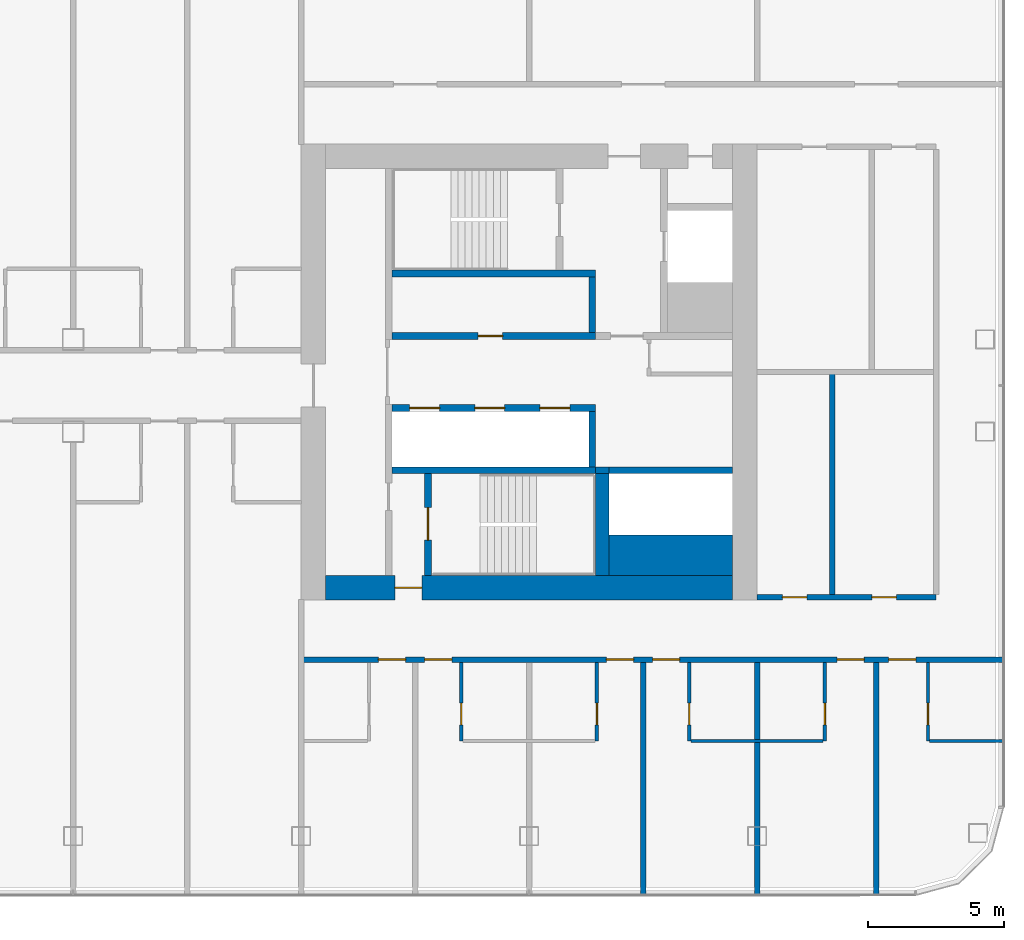
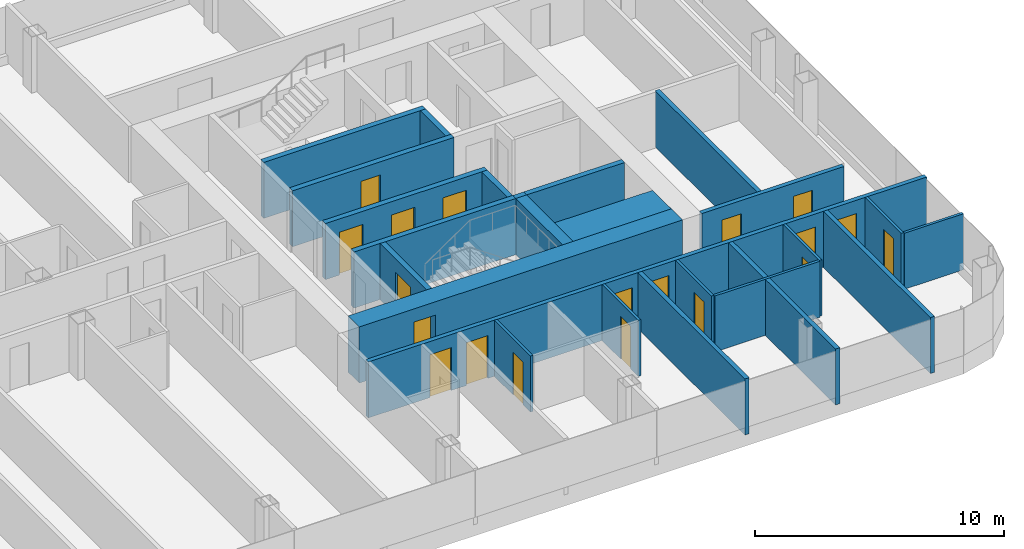
# One storey, part 17 of 27: 25 walls, 19 doors, 19 openings.
"""IFC4 building model written with IfcOpenShell, lengths in metres."""

from ifc_helpers import new_model, si_unit, direction, frame, frame_2d, origin, place, context, subcontext, project, spatial, rectangle, extrude, material, layer, layer_set, type_object, element, fill, save


model = new_model("IFC4")

# Units and contexts
model_context = context("Model", 3, precision=1e-05, world=origin(), true_north=direction((0.0, 1.0)))
body_context = subcontext(model_context, "Body", "Model", "MODEL_VIEW")
ifc_project = project(units=[si_unit("LENGTHUNIT", "METRE"), si_unit("AREAUNIT", "SQUARE_METRE"), si_unit("VOLUMEUNIT", "CUBIC_METRE"), si_unit("PLANEANGLEUNIT", "RADIAN"), si_unit("MASSUNIT", "GRAM", prefix="KILO")], contexts=[model_context])

# Site, building, storey
site_placement = place(None, origin())
site = spatial("IfcSite", under=ifc_project, at=site_placement, CompositionType="ELEMENT")
building_placement = place(site_placement, origin())
building = spatial("IfcBuilding", under=site, at=building_placement, Name="Hakoniwa Tower and Hamabe Station Hall", CompositionType="ELEMENT")
storey_placement = place(building_placement, frame((0.0, 0.0, 166.199951171875)))
storey = spatial("IfcBuildingStorey", under=building, at=storey_placement, Name="L47", CompositionType="ELEMENT", Elevation=166.199951171875)

# Walls
ifc_material_1 = material(Name="Gypsum board partition", Category="gypsum")
ifc_layer_1 = layer(ifc_material_1, 0.125)
ifc_layer_set_1 = layer_set([ifc_layer_1], Name="Bathroom Partition 125")
wall_type_1 = type_object("IfcWallType", Name="Bathroom Partition 125", PredefinedType="PARTITIONING", material=ifc_layer_set_1)
wall_1_placement = place(storey_placement, frame((31.16259765625, -13.60009765625, 0.0), z_axis=(0.0, 0.0, 1.0), x_axis=(1.0, 0.0, 0.0)))
element("IfcWall", 1, at=wall_1_placement, inside=storey, type_object=wall_type_1, Name="GW-L47-007", PredefinedType="PARTITIONING", context=body_context, shape_type="SweptSolid", body=[
    extrude(rectangle(XDim=4.875, YDim=0.125, at=frame_2d((2.4375, 0.0))), origin(), (0.0, 0.0, 1.0), 2.75),
])
wall_2_placement = place(storey_placement, frame((39.96240234375, -13.60009765625, 0.0), z_axis=(0.0, 0.0, 1.0), x_axis=(1.0, 0.0, 0.0)))
element("IfcWall", 2, at=wall_2_placement, inside=storey, type_object=wall_type_1, Name="GW-L47-008", PredefinedType="PARTITIONING", context=body_context, shape_type="SweptSolid", body=[
    extrude(rectangle(XDim=2.737548828125, YDim=0.125, at=frame_2d((1.36865234375, 0.0))), origin(), (0.0, 0.0, 1.0), 2.75),
])

# Wall, opening, door
wall_3_placement = place(storey_placement, frame((22.699951171875, -13.60009765625, 0.0), z_axis=(0.0, 0.0, 1.0), x_axis=(0.0, 1.0, 0.0)))
wall_3 = element("IfcWall", 3, at=wall_3_placement, inside=storey, type_object=wall_type_1, Name="GW-L47-092", PredefinedType="PARTITIONING", context=body_context, shape_type="SweptSolid", body=[
    extrude(rectangle(XDim=2.900146484375, YDim=0.125, at=frame_2d((1.4501953125, 0.0))), origin(), (0.0, 0.0, 1.0), 2.75),
])
opening_1_placement = place(wall_3_placement, frame((0.60009765625, 0.0, 0.0)))
opening_1 = element("IfcOpeningElement", 4, at=opening_1_placement, cuts=wall_3, Name="Opening GD-G3B2-71", PredefinedType="OPENING", context=body_context, shape_type="SweptSolid", body=[
    extrude(rectangle(XDim=0.800048828125, YDim=2.10009765625, at=frame_2d((0.39990234375, 1.050048828125))), frame((0.0, 0.072509765625, 0.0), z_axis=(0.0, -1.0, 0.0), x_axis=(1.0, 0.0, 0.0)), (0.0, 0.0, 1.0), 0.14501953125),
])
ifc_material_2 = material(Name="Timber door leaf", Category="wood")
door_type_1 = type_object("IfcDoorType", Name="Bathroom Door 800", OperationType="SINGLE_SWING_LEFT", PredefinedType="DOOR", material=ifc_material_2)
door_1_placement = place(opening_1_placement, origin())
door_1 = element("IfcDoor", 5, at=door_1_placement, inside=storey, type_object=door_type_1, Name="Door GD-G3B2-71", OperationType="SINGLE_SWING_LEFT", OverallHeight=2.10009765625, OverallWidth=0.800048828125, PredefinedType="DOOR", context=body_context, shape_type="SweptSolid", body=[
    extrude(rectangle(XDim=0.800048828125, YDim=2.10009765625, at=frame_2d((0.39990234375, 1.050048828125))), frame((0.0, 0.02490234375, 0.0), z_axis=(0.0, -1.0, 0.0), x_axis=(1.0, 0.0, 0.0)), (0.0, 0.0, 1.0), 0.050048828125),
])
fill(opening_1, door_1)

wall_4_placement = place(storey_placement, frame((27.699951171875, -13.60009765625, 0.0), z_axis=(0.0, 0.0, 1.0), x_axis=(0.0, 1.0, 0.0)))
wall_4 = element("IfcWall", 6, at=wall_4_placement, inside=storey, type_object=wall_type_1, Name="GW-L47-095", PredefinedType="PARTITIONING", context=body_context, shape_type="SweptSolid", body=[
    extrude(rectangle(XDim=2.900146484375, YDim=0.125, at=frame_2d((1.4501953125, 0.0))), origin(), (0.0, 0.0, 1.0), 2.75),
])
opening_2_placement = place(wall_4_placement, frame((0.60009765625, 0.0, 0.0)))
opening_2 = element("IfcOpeningElement", 7, at=opening_2_placement, cuts=wall_4, Name="Opening GD-G3B2-72", PredefinedType="OPENING", context=body_context, shape_type="SweptSolid", body=[
    extrude(rectangle(XDim=0.800048828125, YDim=2.10009765625, at=frame_2d((0.39990234375, 1.050048828125))), frame((0.0, 0.072509765625, 0.0), z_axis=(0.0, -1.0, 0.0), x_axis=(1.0, 0.0, 0.0)), (0.0, 0.0, 1.0), 0.14501953125),
])
door_2_placement = place(opening_2_placement, origin())
door_2 = element("IfcDoor", 8, at=door_2_placement, inside=storey, type_object=door_type_1, Name="Door GD-G3B2-72", OperationType="SINGLE_SWING_RIGHT", OverallHeight=2.10009765625, OverallWidth=0.800048828125, PredefinedType="DOOR", context=body_context, shape_type="SweptSolid", body=[
    extrude(rectangle(XDim=0.800048828125, YDim=2.10009765625, at=frame_2d((0.39990234375, 1.050048828125))), frame((0.0, 0.02490234375, 0.0), z_axis=(0.0, -1.0, 0.0), x_axis=(1.0, 0.0, 0.0)), (0.0, 0.0, 1.0), 0.050048828125),
])
fill(opening_2, door_2)

wall_5_placement = place(storey_placement, frame((31.10009765625, -13.60009765625, 0.0), z_axis=(0.0, 0.0, 1.0), x_axis=(0.0, 1.0, 0.0)))
wall_5 = element("IfcWall", 9, at=wall_5_placement, inside=storey, type_object=wall_type_1, Name="GW-L47-097", PredefinedType="PARTITIONING", context=body_context, shape_type="SweptSolid", body=[
    extrude(rectangle(XDim=2.900146484375, YDim=0.125, at=frame_2d((1.4501953125, 0.0))), origin(), (0.0, 0.0, 1.0), 2.75),
])
opening_3_placement = place(wall_5_placement, frame((0.60009765625, 0.0, 0.0)))
opening_3 = element("IfcOpeningElement", 10, at=opening_3_placement, cuts=wall_5, Name="Opening GD-G3B2-73", PredefinedType="OPENING", context=body_context, shape_type="SweptSolid", body=[
    extrude(rectangle(XDim=0.800048828125, YDim=2.10009765625, at=frame_2d((0.39990234375, 1.050048828125))), frame((0.0, 0.072509765625, 0.0), z_axis=(0.0, -1.0, 0.0), x_axis=(1.0, 0.0, 0.0)), (0.0, 0.0, 1.0), 0.14501953125),
])
door_3_placement = place(opening_3_placement, origin())
door_3 = element("IfcDoor", 11, at=door_3_placement, inside=storey, type_object=door_type_1, Name="Door GD-G3B2-73", OperationType="SINGLE_SWING_LEFT", OverallHeight=2.10009765625, OverallWidth=0.800048828125, PredefinedType="DOOR", context=body_context, shape_type="SweptSolid", body=[
    extrude(rectangle(XDim=0.800048828125, YDim=2.10009765625, at=frame_2d((0.39990234375, 1.050048828125))), frame((0.0, 0.02490234375, 0.0), z_axis=(0.0, -1.0, 0.0), x_axis=(1.0, 0.0, 0.0)), (0.0, 0.0, 1.0), 0.050048828125),
])
fill(opening_3, door_3)

wall_6_placement = place(storey_placement, frame((36.10009765625, -13.60009765625, 0.0), z_axis=(0.0, 0.0, 1.0), x_axis=(0.0, 1.0, 0.0)))
wall_6 = element("IfcWall", 12, at=wall_6_placement, inside=storey, type_object=wall_type_1, Name="GW-L47-100", PredefinedType="PARTITIONING", context=body_context, shape_type="SweptSolid", body=[
    extrude(rectangle(XDim=2.900146484375, YDim=0.125, at=frame_2d((1.4501953125, 0.0))), origin(), (0.0, 0.0, 1.0), 2.75),
])
opening_4_placement = place(wall_6_placement, frame((0.60009765625, 0.0, 0.0)))
opening_4 = element("IfcOpeningElement", 13, at=opening_4_placement, cuts=wall_6, Name="Opening GD-G3B2-74", PredefinedType="OPENING", context=body_context, shape_type="SweptSolid", body=[
    extrude(rectangle(XDim=0.800048828125, YDim=2.10009765625, at=frame_2d((0.39990234375, 1.050048828125))), frame((0.0, 0.072509765625, 0.0), z_axis=(0.0, -1.0, 0.0), x_axis=(1.0, 0.0, 0.0)), (0.0, 0.0, 1.0), 0.14501953125),
])
door_4_placement = place(opening_4_placement, origin())
door_4 = element("IfcDoor", 14, at=door_4_placement, inside=storey, type_object=door_type_1, Name="Door GD-G3B2-74", OperationType="SINGLE_SWING_RIGHT", OverallHeight=2.10009765625, OverallWidth=0.800048828125, PredefinedType="DOOR", context=body_context, shape_type="SweptSolid", body=[
    extrude(rectangle(XDim=0.800048828125, YDim=2.10009765625, at=frame_2d((0.39990234375, 1.050048828125))), frame((0.0, 0.02490234375, 0.0), z_axis=(0.0, -1.0, 0.0), x_axis=(1.0, 0.0, 0.0)), (0.0, 0.0, 1.0), 0.050048828125),
])
fill(opening_4, door_4)

wall_7_placement = place(storey_placement, frame((39.89990234375, -13.60009765625, 0.0), z_axis=(0.0, 0.0, 1.0), x_axis=(0.0, 1.0, 0.0)))
wall_7 = element("IfcWall", 15, at=wall_7_placement, inside=storey, type_object=wall_type_1, Name="GW-L47-104", PredefinedType="PARTITIONING", context=body_context, shape_type="SweptSolid", body=[
    extrude(rectangle(XDim=2.900146484375, YDim=0.125, at=frame_2d((1.4501953125, 0.0))), origin(), (0.0, 0.0, 1.0), 2.75),
])
opening_5_placement = place(wall_7_placement, frame((0.60009765625, 0.0, 0.0)))
opening_5 = element("IfcOpeningElement", 16, at=opening_5_placement, cuts=wall_7, Name="Opening GD-G3B2-75", PredefinedType="OPENING", context=body_context, shape_type="SweptSolid", body=[
    extrude(rectangle(XDim=0.800048828125, YDim=2.10009765625, at=frame_2d((0.39990234375, 1.050048828125))), frame((0.0, 0.072509765625, 0.0), z_axis=(0.0, -1.0, 0.0), x_axis=(1.0, 0.0, 0.0)), (0.0, 0.0, 1.0), 0.14501953125),
])
door_5_placement = place(opening_5_placement, origin())
door_5 = element("IfcDoor", 17, at=door_5_placement, inside=storey, type_object=door_type_1, Name="Door GD-G3B2-75", OperationType="SINGLE_SWING_LEFT", OverallHeight=2.10009765625, OverallWidth=0.800048828125, PredefinedType="DOOR", context=body_context, shape_type="SweptSolid", body=[
    extrude(rectangle(XDim=0.800048828125, YDim=2.10009765625, at=frame_2d((0.39990234375, 1.050048828125))), frame((0.0, 0.02490234375, 0.0), z_axis=(0.0, -1.0, 0.0), x_axis=(1.0, 0.0, 0.0)), (0.0, 0.0, 1.0), 0.050048828125),
])
fill(opening_5, door_5)

ifc_material_3 = material(Name="Concrete C66", Category="concrete")
ifc_layer_2 = layer(ifc_material_3, 0.89990234375)
ifc_layer_set_2 = layer_set([ifc_layer_2], Name="CORE WALL 900 C66")
wall_type_2 = type_object("IfcWallType", Name="CORE WALL 900 C66", PredefinedType="SHEAR", material=ifc_layer_set_2)
wall_8_placement = place(storey_placement, frame((17.699951171875, -7.949951171875, 0.0), z_axis=(0.0, 0.0, 1.0), x_axis=(1.0, 0.0, 0.0)))
wall_8 = element("IfcWall", 18, at=wall_8_placement, inside=storey, type_object=wall_type_2, Name="Core wall SOUTH east", PredefinedType="SHEAR", context=body_context, shape_type="SweptSolid", body=[
    extrude(rectangle(XDim=15.0, YDim=0.89990234375, at=frame_2d((7.5, 0.0))), origin(), (0.0, 0.0, 1.0), 2.75),
])
opening_6_placement = place(wall_8_placement, frame((2.550048828125, 0.0, 0.0)))
opening_6 = element("IfcOpeningElement", 19, at=opening_6_placement, cuts=wall_8, Name="Opening CD-E-FS3-10", PredefinedType="OPENING", context=body_context, shape_type="SweptSolid", body=[
    extrude(rectangle(XDim=1.0, YDim=2.10009765625, at=frame_2d((0.5, 1.050048828125))), frame((0.0, 0.4599609375, 0.0), z_axis=(0.0, -1.0, 0.0), x_axis=(1.0, 0.0, 0.0)), (0.0, 0.0, 1.0), 0.919921875),
])
ifc_material_4 = material(Name="Steel fire door", Category="steel")
door_type_2 = type_object("IfcDoorType", Name="CORE DOOR 1000 FD60", OperationType="NOTDEFINED", PredefinedType="DOOR", material=ifc_material_4)
door_6_placement = place(opening_6_placement, origin())
door_6 = element("IfcDoor", 20, at=door_6_placement, inside=storey, type_object=door_type_2, Name="Stair vestibule door", OperationType="SINGLE_SWING_LEFT", OverallHeight=2.10009765625, OverallWidth=1.0, PredefinedType="DOOR", context=body_context, shape_type="SweptSolid", body=[
    extrude(rectangle(XDim=1.0, YDim=2.10009765625, at=frame_2d((0.5, 1.050048828125))), frame((0.0, 0.02490234375, 0.0), z_axis=(0.0, -1.0, 0.0), x_axis=(1.0, 0.0, 0.0)), (0.0, 0.0, 1.0), 0.050048828125),
])
fill(opening_6, door_6)

# Wall
ifc_material_5 = material(Name="Concrete C66", Category="concrete")
ifc_layer_3 = layer(ifc_material_5, 1.5)
ifc_layer_set_3 = layer_set([ifc_layer_3], Name="CORE WEB WALL 1500 C66")
wall_type_3 = type_object("IfcWallType", Name="CORE WEB WALL 1500 C66", PredefinedType="SHEAR", material=ifc_layer_set_3)
wall_9_placement = place(storey_placement, frame((28.14990234375, -6.75, 0.0), z_axis=(0.0, 0.0, 1.0), x_axis=(1.0, 0.0, 0.0)))
element("IfcWall", 21, at=wall_9_placement, inside=storey, type_object=wall_type_3, Name="Core wall SER east", PredefinedType="SHEAR", context=body_context, shape_type="SweptSolid", body=[
    extrude(rectangle(XDim=4.550048828125, YDim=1.5, at=frame_2d((2.27490234375, 0.0))), origin(), (0.0, 0.0, 1.0), 2.75),
])

# Wall, opening, door
ifc_material_6 = material(Name="Concrete C66", Category="concrete")
ifc_layer_4 = layer(ifc_material_6, 0.25)
ifc_layer_set_4 = layer_set([ifc_layer_4], Name="CORE WEB WALL 250 C66")
wall_type_4 = type_object("IfcWallType", Name="CORE WEB WALL 250 C66", PredefinedType="SHEAR", material=ifc_layer_set_4)
wall_10_placement = place(storey_placement, frame((20.14990234375, 1.324951171875, 0.0), z_axis=(0.0, 0.0, 1.0), x_axis=(1.0, 0.0, 0.0)))
wall_10 = element("IfcWall", 22, at=wall_10_placement, inside=storey, type_object=wall_type_4, Name="Core wall NF east", PredefinedType="SHEAR", context=body_context, shape_type="SweptSolid", body=[
    extrude(rectangle(XDim=7.5, YDim=0.25, at=frame_2d((3.75, 0.0))), origin(), (0.0, 0.0, 1.0), 2.75),
])
opening_7_placement = place(wall_10_placement, frame((3.175048828125, 0.0, 0.0)))
opening_7 = element("IfcOpeningElement", 23, at=opening_7_placement, cuts=wall_10, Name="Opening CD-E-FRLR0-9", PredefinedType="OPENING", context=body_context, shape_type="SweptSolid", body=[
    extrude(rectangle(XDim=0.89990234375, YDim=2.10009765625, at=frame_2d((0.449951171875, 1.050048828125))), frame((0.0, 0.135009765625, 0.0), z_axis=(0.0, -1.0, 0.0), x_axis=(1.0, 0.0, 0.0)), (0.0, 0.0, 1.0), 0.27001953125),
])
ifc_material_7 = material(Name="Steel fire door", Category="steel")
door_type_3 = type_object("IfcDoorType", Name="CORE DOOR 900 FD30", OperationType="NOTDEFINED", PredefinedType="DOOR", material=ifc_material_7)
door_7_placement = place(opening_7_placement, origin())
door_7 = element("IfcDoor", 24, at=door_7_placement, inside=storey, type_object=door_type_3, Name="Store room door", OperationType="SINGLE_SWING_LEFT", OverallHeight=2.10009765625, OverallWidth=0.89990234375, PredefinedType="DOOR", context=body_context, shape_type="SweptSolid", body=[
    extrude(rectangle(XDim=0.89990234375, YDim=2.10009765625, at=frame_2d((0.449951171875, 1.050048828125))), frame((0.0, 0.02490234375, 0.0), z_axis=(0.0, -1.0, 0.0), x_axis=(1.0, 0.0, 0.0)), (0.0, 0.0, 1.0), 0.050048828125),
])
fill(opening_7, door_7)

# Walls
wall_11_placement = place(storey_placement, frame((27.52490234375, 1.449951171875, 0.0), z_axis=(0.0, 0.0, 1.0), x_axis=(0.0, 1.0, 0.0)))
element("IfcWall", 25, at=wall_11_placement, inside=storey, type_object=wall_type_4, Name="Core wall NE east", PredefinedType="SHEAR", context=body_context, shape_type="SweptSolid", body=[
    extrude(rectangle(XDim=2.050048828125, YDim=0.25, at=frame_2d((1.02490234375, 0.0))), origin(), (0.0, 0.0, 1.0), 2.75),
])
wall_12_placement = place(storey_placement, frame((20.14990234375, 3.625, 0.0), z_axis=(0.0, 0.0, 1.0), x_axis=(1.0, 0.0, 0.0)))
element("IfcWall", 26, at=wall_12_placement, inside=storey, type_object=wall_type_4, Name="Core wall NR east", PredefinedType="SHEAR", context=body_context, shape_type="SweptSolid", body=[
    extrude(rectangle(XDim=7.5, YDim=0.25, at=frame_2d((3.75, 0.0))), origin(), (0.0, 0.0, 1.0), 2.75),
])

# Wall, openings, doors
wall_13_placement = place(storey_placement, frame((20.14990234375, -1.324951171875, 0.0), z_axis=(0.0, 0.0, 1.0), x_axis=(1.0, 0.0, 0.0)))
wall_13 = element("IfcWall", 27, at=wall_13_placement, inside=storey, type_object=wall_type_4, Name="Core wall SF east", PredefinedType="SHEAR", context=body_context, shape_type="SweptSolid", body=[
    extrude(rectangle(XDim=7.5, YDim=0.25, at=frame_2d((3.75, 0.0))), origin(), (0.0, 0.0, 1.0), 2.75),
])
opening_8_placement = place(wall_13_placement, frame((0.64990234375, 0.0, 0.0)))
opening_8 = element("IfcOpeningElement", 28, at=opening_8_placement, cuts=wall_13, Name="Opening LD-HR4", PredefinedType="OPENING", context=body_context, shape_type="SweptSolid", body=[
    extrude(rectangle(XDim=1.10009765625, YDim=2.10009765625, at=frame_2d((0.550048828125, 1.050048828125))), frame((0.0, 0.135009765625, 0.0), z_axis=(0.0, -1.0, 0.0), x_axis=(1.0, 0.0, 0.0)), (0.0, 0.0, 1.0), 0.27001953125),
])
opening_9_placement = place(wall_13_placement, frame((3.050048828125, 0.0, 0.0)))
opening_9 = element("IfcOpeningElement", 29, at=opening_9_placement, cuts=wall_13, Name="Opening LD-HR5", PredefinedType="OPENING", context=body_context, shape_type="SweptSolid", body=[
    extrude(rectangle(XDim=1.10009765625, YDim=2.10009765625, at=frame_2d((0.550048828125, 1.050048828125))), frame((0.0, 0.135009765625, 0.0), z_axis=(0.0, -1.0, 0.0), x_axis=(1.0, 0.0, 0.0)), (0.0, 0.0, 1.0), 0.27001953125),
])
opening_10_placement = place(wall_13_placement, frame((5.449951171875, 0.0, 0.0)))
opening_10 = element("IfcOpeningElement", 30, at=opening_10_placement, cuts=wall_13, Name="Opening LD-HR6", PredefinedType="OPENING", context=body_context, shape_type="SweptSolid", body=[
    extrude(rectangle(XDim=1.10009765625, YDim=2.10009765625, at=frame_2d((0.550048828125, 1.050048828125))), frame((0.0, 0.135009765625, 0.0), z_axis=(0.0, -1.0, 0.0), x_axis=(1.0, 0.0, 0.0)), (0.0, 0.0, 1.0), 0.27001953125),
])
ifc_material_8 = material(Name="Stainless steel SUS304", Category="steel")
door_type_4 = type_object("IfcDoorType", Name="LIFT LANDING DOOR 1100 FD60", OperationType="DOUBLE_DOOR_SLIDING", PredefinedType="DOOR", material=ifc_material_8)
door_8_placement = place(opening_8_placement, origin())
door_8 = element("IfcDoor", 31, at=door_8_placement, inside=storey, type_object=door_type_4, Name="Lift landing door HR4 L47", OperationType="DOUBLE_DOOR_SLIDING", OverallHeight=2.10009765625, OverallWidth=1.10009765625, PredefinedType="DOOR", context=body_context, shape_type="SweptSolid", body=[
    extrude(rectangle(XDim=1.10009765625, YDim=2.10009765625, at=frame_2d((0.550048828125, 1.050048828125))), frame((0.0, 0.02490234375, 0.0), z_axis=(0.0, -1.0, 0.0), x_axis=(1.0, 0.0, 0.0)), (0.0, 0.0, 1.0), 0.050048828125),
])
fill(opening_8, door_8)
door_9_placement = place(opening_9_placement, origin())
door_9 = element("IfcDoor", 32, at=door_9_placement, inside=storey, type_object=door_type_4, Name="Lift landing door HR5 L47", OperationType="DOUBLE_DOOR_SLIDING", OverallHeight=2.10009765625, OverallWidth=1.10009765625, PredefinedType="DOOR", context=body_context, shape_type="SweptSolid", body=[
    extrude(rectangle(XDim=1.10009765625, YDim=2.10009765625, at=frame_2d((0.550048828125, 1.050048828125))), frame((0.0, 0.02490234375, 0.0), z_axis=(0.0, -1.0, 0.0), x_axis=(1.0, 0.0, 0.0)), (0.0, 0.0, 1.0), 0.050048828125),
])
fill(opening_9, door_9)
door_10_placement = place(opening_10_placement, origin())
door_10 = element("IfcDoor", 33, at=door_10_placement, inside=storey, type_object=door_type_4, Name="Lift landing door HR6 L47", OperationType="DOUBLE_DOOR_SLIDING", OverallHeight=2.10009765625, OverallWidth=1.10009765625, PredefinedType="DOOR", context=body_context, shape_type="SweptSolid", body=[
    extrude(rectangle(XDim=1.10009765625, YDim=2.10009765625, at=frame_2d((0.550048828125, 1.050048828125))), frame((0.0, 0.02490234375, 0.0), z_axis=(0.0, -1.0, 0.0), x_axis=(1.0, 0.0, 0.0)), (0.0, 0.0, 1.0), 0.050048828125),
])
fill(opening_10, door_10)

# Walls
wall_14_placement = place(storey_placement, frame((27.52490234375, -3.5, 0.0), z_axis=(0.0, 0.0, 1.0), x_axis=(0.0, 1.0, 0.0)))
element("IfcWall", 34, at=wall_14_placement, inside=storey, type_object=wall_type_4, Name="Core wall SE east", PredefinedType="SHEAR", context=body_context, shape_type="SweptSolid", body=[
    extrude(rectangle(XDim=2.050048828125, YDim=0.25, at=frame_2d((1.02490234375, 0.0))), origin(), (0.0, 0.0, 1.0), 2.75),
])
wall_15_placement = place(storey_placement, frame((20.14990234375, -3.625, 0.0), z_axis=(0.0, 0.0, 1.0), x_axis=(1.0, 0.0, 0.0)))
element("IfcWall", 35, at=wall_15_placement, inside=storey, type_object=wall_type_4, Name="Core wall SR east", PredefinedType="SHEAR", context=body_context, shape_type="SweptSolid", body=[
    extrude(rectangle(XDim=7.5, YDim=0.25, at=frame_2d((3.75, 0.0))), origin(), (0.0, 0.0, 1.0), 2.75),
])

# Wall, opening, door
wall_16_placement = place(storey_placement, frame((21.47509765625, -7.5, 0.0), z_axis=(0.0, 0.0, 1.0), x_axis=(0.0, 1.0, 0.0)))
wall_16 = element("IfcWall", 36, at=wall_16_placement, inside=storey, type_object=wall_type_4, Name="Core wall VE east", PredefinedType="SHEAR", context=body_context, shape_type="SweptSolid", body=[
    extrude(rectangle(XDim=3.75, YDim=0.25, at=frame_2d((1.875, 0.0))), origin(), (0.0, 0.0, 1.0), 2.75),
])
opening_11_placement = place(wall_16_placement, frame((1.300048828125, 0.0, 0.0)))
opening_11 = element("IfcOpeningElement", 37, at=opening_11_placement, cuts=wall_16, Name="Opening CD-E-SS-12", PredefinedType="OPENING", context=body_context, shape_type="SweptSolid", body=[
    extrude(rectangle(XDim=1.199951171875, YDim=2.10009765625, at=frame_2d((0.60009765625, 1.050048828125))), frame((0.0, 0.135009765625, 0.0), z_axis=(0.0, -1.0, 0.0), x_axis=(1.0, 0.0, 0.0)), (0.0, 0.0, 1.0), 0.27001953125),
])
ifc_material_9 = material(Name="Steel fire door", Category="steel")
door_type_5 = type_object("IfcDoorType", Name="CORE DOOR 1200 FD60", OperationType="DOUBLE_DOOR_SINGLE_SWING", PredefinedType="DOOR", material=ifc_material_9)
door_11_placement = place(opening_11_placement, origin())
door_11 = element("IfcDoor", 38, at=door_11_placement, inside=storey, type_object=door_type_5, Name="Escape stair door", OperationType="DOUBLE_DOOR_SINGLE_SWING", OverallHeight=2.10009765625, OverallWidth=1.199951171875, PredefinedType="DOOR", context=body_context, shape_type="SweptSolid", body=[
    extrude(rectangle(XDim=1.199951171875, YDim=2.10009765625, at=frame_2d((0.60009765625, 1.050048828125))), frame((0.0, 0.02490234375, 0.0), z_axis=(0.0, -1.0, 0.0), x_axis=(1.0, 0.0, 0.0)), (0.0, 0.0, 1.0), 0.050048828125),
])
fill(opening_11, door_11)

# Walls
wall_17_placement = place(storey_placement, frame((28.14990234375, -3.625, 0.0), z_axis=(0.0, 0.0, 1.0), x_axis=(1.0, 0.0, 0.0)))
element("IfcWall", 39, at=wall_17_placement, inside=storey, type_object=wall_type_4, Name="Core wall SEF east", PredefinedType="SHEAR", context=body_context, shape_type="SweptSolid", body=[
    extrude(rectangle(XDim=4.550048828125, YDim=0.25, at=frame_2d((2.27490234375, 0.0))), origin(), (0.0, 0.0, 1.0), 2.75),
])
wall_18_placement = place(storey_placement, frame((27.64990234375, -3.625, 0.0), z_axis=(0.0, 0.0, 1.0), x_axis=(1.0, 0.0, 0.0)))
element("IfcWall", 40, at=wall_18_placement, inside=storey, type_object=wall_type_4, Name="Core wall SRK east", PredefinedType="SHEAR", context=body_context, shape_type="SweptSolid", body=[
    extrude(rectangle(XDim=0.5, YDim=0.25, at=frame_2d((0.25, 0.0))), origin(), (0.0, 0.0, 1.0), 2.75),
])
ifc_material_10 = material(Name="Concrete C66", Category="concrete")
ifc_layer_5 = layer(ifc_material_10, 0.5)
ifc_layer_set_5 = layer_set([ifc_layer_5], Name="CORE WEB WALL 500 C66")
wall_type_5 = type_object("IfcWallType", Name="CORE WEB WALL 500 C66", PredefinedType="SHEAR", material=ifc_layer_set_5)
wall_19_placement = place(storey_placement, frame((27.89990234375, -7.5, 0.0), z_axis=(0.0, 0.0, 1.0), x_axis=(0.0, 1.0, 0.0)))
element("IfcWall", 41, at=wall_19_placement, inside=storey, type_object=wall_type_5, Name="Core wall SSE east", PredefinedType="SHEAR", context=body_context, shape_type="SweptSolid", body=[
    extrude(rectangle(XDim=3.75, YDim=0.5, at=frame_2d((1.875, 0.0))), origin(), (0.0, 0.0, 1.0), 2.75),
])

# Wall, openings, doors
ifc_material_11 = material(Name="Fire-rated gypsum board partition", Category="gypsum")
ifc_layer_6 = layer(ifc_material_11, 0.199951171875)
ifc_layer_set_6 = layer_set([ifc_layer_6], Name="Corridor Wall 200")
wall_type_6 = type_object("IfcWallType", Name="Corridor Wall 200", PredefinedType="PARTITIONING", material=ifc_layer_set_6)
wall_20_placement = place(storey_placement, frame((16.800048828125, -10.60009765625, 0.0), z_axis=(0.0, 0.0, 1.0), x_axis=(1.0, 0.0, 0.0)))
wall_20 = element("IfcWall", 42, at=wall_20_placement, inside=storey, type_object=wall_type_6, Name="GW-L47-010", PredefinedType="PARTITIONING", context=body_context, shape_type="SweptSolid", body=[
    extrude(rectangle(XDim=25.89990234375, YDim=0.199951171875, at=frame_2d((12.949951171875, 0.0))), origin(), (0.0, 0.0, 1.0), 2.75),
])
opening_12_placement = place(wall_20_placement, frame((2.85009765625, 0.0, 0.0)))
opening_12 = element("IfcOpeningElement", 43, at=opening_12_placement, cuts=wall_20, Name="Opening GD-G3B2-07", PredefinedType="OPENING", context=body_context, shape_type="SweptSolid", body=[
    extrude(rectangle(XDim=1.0, YDim=2.10009765625, at=frame_2d((0.5, 1.050048828125))), frame((0.0, 0.10986328125, 0.0), z_axis=(0.0, -1.0, 0.0), x_axis=(1.0, 0.0, 0.0)), (0.0, 0.0, 1.0), 0.219970703125),
])
opening_13_placement = place(wall_20_placement, frame((4.550048828125, 0.0, 0.0)))
opening_13 = element("IfcOpeningElement", 44, at=opening_13_placement, cuts=wall_20, Name="Opening GD-G3B2-08", PredefinedType="OPENING", context=body_context, shape_type="SweptSolid", body=[
    extrude(rectangle(XDim=1.0, YDim=2.10009765625, at=frame_2d((0.5, 1.050048828125))), frame((0.0, 0.10986328125, 0.0), z_axis=(0.0, -1.0, 0.0), x_axis=(1.0, 0.0, 0.0)), (0.0, 0.0, 1.0), 0.219970703125),
])
opening_14_placement = place(wall_20_placement, frame((11.25, 0.0, 0.0)))
opening_14 = element("IfcOpeningElement", 45, at=opening_14_placement, cuts=wall_20, Name="Opening GD-G3B2-09", PredefinedType="OPENING", context=body_context, shape_type="SweptSolid", body=[
    extrude(rectangle(XDim=1.0, YDim=2.10009765625, at=frame_2d((0.5, 1.050048828125))), frame((0.0, 0.10986328125, 0.0), z_axis=(0.0, -1.0, 0.0), x_axis=(1.0, 0.0, 0.0)), (0.0, 0.0, 1.0), 0.219970703125),
])
opening_15_placement = place(wall_20_placement, frame((12.949951171875, 0.0, 0.0)))
opening_15 = element("IfcOpeningElement", 46, at=opening_15_placement, cuts=wall_20, Name="Opening GD-G3B2-10", PredefinedType="OPENING", context=body_context, shape_type="SweptSolid", body=[
    extrude(rectangle(XDim=1.0, YDim=2.10009765625, at=frame_2d((0.5, 1.050048828125))), frame((0.0, 0.10986328125, 0.0), z_axis=(0.0, -1.0, 0.0), x_axis=(1.0, 0.0, 0.0)), (0.0, 0.0, 1.0), 0.219970703125),
])
opening_16_placement = place(wall_20_placement, frame((19.75, 0.0, 0.0)))
opening_16 = element("IfcOpeningElement", 47, at=opening_16_placement, cuts=wall_20, Name="Opening GD-G3B2-11", PredefinedType="OPENING", context=body_context, shape_type="SweptSolid", body=[
    extrude(rectangle(XDim=1.0, YDim=2.10009765625, at=frame_2d((0.5, 1.050048828125))), frame((0.0, 0.10986328125, 0.0), z_axis=(0.0, -1.0, 0.0), x_axis=(1.0, 0.0, 0.0)), (0.0, 0.0, 1.0), 0.219970703125),
])
opening_17_placement = place(wall_20_placement, frame((21.64990234375, 0.0, 0.0)))
opening_17 = element("IfcOpeningElement", 48, at=opening_17_placement, cuts=wall_20, Name="Opening GD-G3B2-12", PredefinedType="OPENING", context=body_context, shape_type="SweptSolid", body=[
    extrude(rectangle(XDim=1.0, YDim=2.10009765625, at=frame_2d((0.5, 1.050048828125))), frame((0.0, 0.10986328125, 0.0), z_axis=(0.0, -1.0, 0.0), x_axis=(1.0, 0.0, 0.0)), (0.0, 0.0, 1.0), 0.219970703125),
])
ifc_material_12 = material(Name="Timber door leaf", Category="wood")
door_type_6 = type_object("IfcDoorType", Name="Guest Entrance Door 1000", OperationType="SINGLE_SWING_LEFT", PredefinedType="DOOR", material=ifc_material_12)
door_12_placement = place(opening_12_placement, origin())
door_12 = element("IfcDoor", 49, at=door_12_placement, inside=storey, type_object=door_type_6, Name="Door GD-G3B2-07", OperationType="SINGLE_SWING_LEFT", OverallHeight=2.10009765625, OverallWidth=1.0, PredefinedType="DOOR", context=body_context, shape_type="SweptSolid", body=[
    extrude(rectangle(XDim=1.0, YDim=2.10009765625, at=frame_2d((0.5, 1.050048828125))), frame((0.0, 0.02490234375, 0.0), z_axis=(0.0, -1.0, 0.0), x_axis=(1.0, 0.0, 0.0)), (0.0, 0.0, 1.0), 0.050048828125),
])
fill(opening_12, door_12)
door_13_placement = place(opening_13_placement, origin())
door_13 = element("IfcDoor", 50, at=door_13_placement, inside=storey, type_object=door_type_6, Name="Door GD-G3B2-08", OperationType="SINGLE_SWING_RIGHT", OverallHeight=2.10009765625, OverallWidth=1.0, PredefinedType="DOOR", context=body_context, shape_type="SweptSolid", body=[
    extrude(rectangle(XDim=1.0, YDim=2.10009765625, at=frame_2d((0.5, 1.050048828125))), frame((0.0, 0.02490234375, 0.0), z_axis=(0.0, -1.0, 0.0), x_axis=(1.0, 0.0, 0.0)), (0.0, 0.0, 1.0), 0.050048828125),
])
fill(opening_13, door_13)
door_14_placement = place(opening_14_placement, origin())
door_14 = element("IfcDoor", 51, at=door_14_placement, inside=storey, type_object=door_type_6, Name="Door GD-G3B2-09", OperationType="SINGLE_SWING_LEFT", OverallHeight=2.10009765625, OverallWidth=1.0, PredefinedType="DOOR", context=body_context, shape_type="SweptSolid", body=[
    extrude(rectangle(XDim=1.0, YDim=2.10009765625, at=frame_2d((0.5, 1.050048828125))), frame((0.0, 0.02490234375, 0.0), z_axis=(0.0, -1.0, 0.0), x_axis=(1.0, 0.0, 0.0)), (0.0, 0.0, 1.0), 0.050048828125),
])
fill(opening_14, door_14)
door_15_placement = place(opening_15_placement, origin())
door_15 = element("IfcDoor", 52, at=door_15_placement, inside=storey, type_object=door_type_6, Name="Door GD-G3B2-10", OperationType="SINGLE_SWING_LEFT", OverallHeight=2.10009765625, OverallWidth=1.0, PredefinedType="DOOR", context=body_context, shape_type="SweptSolid", body=[
    extrude(rectangle(XDim=1.0, YDim=2.10009765625, at=frame_2d((0.5, 1.050048828125))), frame((0.0, 0.02490234375, 0.0), z_axis=(0.0, -1.0, 0.0), x_axis=(1.0, 0.0, 0.0)), (0.0, 0.0, 1.0), 0.050048828125),
])
fill(opening_15, door_15)
door_16_placement = place(opening_16_placement, origin())
door_16 = element("IfcDoor", 53, at=door_16_placement, inside=storey, type_object=door_type_6, Name="Door GD-G3B2-11", OperationType="SINGLE_SWING_RIGHT", OverallHeight=2.10009765625, OverallWidth=1.0, PredefinedType="DOOR", context=body_context, shape_type="SweptSolid", body=[
    extrude(rectangle(XDim=1.0, YDim=2.10009765625, at=frame_2d((0.5, 1.050048828125))), frame((0.0, 0.02490234375, 0.0), z_axis=(0.0, -1.0, 0.0), x_axis=(1.0, 0.0, 0.0)), (0.0, 0.0, 1.0), 0.050048828125),
])
fill(opening_16, door_16)
door_17_placement = place(opening_17_placement, origin())
door_17 = element("IfcDoor", 54, at=door_17_placement, inside=storey, type_object=door_type_6, Name="Door GD-G3B2-12", OperationType="SINGLE_SWING_LEFT", OverallHeight=2.10009765625, OverallWidth=1.0, PredefinedType="DOOR", context=body_context, shape_type="SweptSolid", body=[
    extrude(rectangle(XDim=1.0, YDim=2.10009765625, at=frame_2d((0.5, 1.050048828125))), frame((0.0, 0.02490234375, 0.0), z_axis=(0.0, -1.0, 0.0), x_axis=(1.0, 0.0, 0.0)), (0.0, 0.0, 1.0), 0.050048828125),
])
fill(opening_17, door_17)

wall_21_placement = place(storey_placement, frame((33.60009765625, -8.300048828125, 0.0), z_axis=(0.0, 0.0, 1.0), x_axis=(1.0, 0.0, 0.0)))
wall_21 = element("IfcWall", 55, at=wall_21_placement, inside=storey, type_object=wall_type_6, Name="GW-L47-012", PredefinedType="PARTITIONING", context=body_context, shape_type="SweptSolid", body=[
    extrude(rectangle(XDim=6.599853515625, YDim=0.199951171875, at=frame_2d((3.2998046875, 0.0))), origin(), (0.0, 0.0, 1.0), 2.75),
])
opening_18_placement = place(wall_21_placement, frame((0.93505859375, 0.0, 0.0)))
opening_18 = element("IfcOpeningElement", 56, at=opening_18_placement, cuts=wall_21, Name="Opening GD-G3B2-15", PredefinedType="OPENING", context=body_context, shape_type="SweptSolid", body=[
    extrude(rectangle(XDim=0.89990234375, YDim=2.10009765625, at=frame_2d((0.449951171875, 1.050048828125))), frame((0.0, 0.10986328125, 0.0), z_axis=(0.0, -1.0, 0.0), x_axis=(1.0, 0.0, 0.0)), (0.0, 0.0, 1.0), 0.219970703125),
])
opening_19_placement = place(wall_21_placement, frame((4.235107421875, 0.0, 0.0)))
opening_19 = element("IfcOpeningElement", 57, at=opening_19_placement, cuts=wall_21, Name="Opening GD-G3B2-16", PredefinedType="OPENING", context=body_context, shape_type="SweptSolid", body=[
    extrude(rectangle(XDim=0.89990234375, YDim=2.10009765625, at=frame_2d((0.449951171875, 1.050048828125))), frame((0.0, 0.10986328125, 0.0), z_axis=(0.0, -1.0, 0.0), x_axis=(1.0, 0.0, 0.0)), (0.0, 0.0, 1.0), 0.219970703125),
])
ifc_material_13 = material(Name="Timber door leaf", Category="wood")
door_type_7 = type_object("IfcDoorType", Name="Service Door 900", OperationType="SINGLE_SWING_LEFT", PredefinedType="DOOR", material=ifc_material_13)
door_18_placement = place(opening_18_placement, origin())
door_18 = element("IfcDoor", 58, at=door_18_placement, inside=storey, type_object=door_type_7, Name="Door GD-G3B2-15", OperationType="SINGLE_SWING_LEFT", OverallHeight=2.10009765625, OverallWidth=0.89990234375, PredefinedType="DOOR", context=body_context, shape_type="SweptSolid", body=[
    extrude(rectangle(XDim=0.89990234375, YDim=2.10009765625, at=frame_2d((0.449951171875, 1.050048828125))), frame((0.0, 0.02490234375, 0.0), z_axis=(0.0, -1.0, 0.0), x_axis=(1.0, 0.0, 0.0)), (0.0, 0.0, 1.0), 0.050048828125),
])
fill(opening_18, door_18)
door_19_placement = place(opening_19_placement, origin())
door_19 = element("IfcDoor", 59, at=door_19_placement, inside=storey, type_object=door_type_7, Name="Door GD-G3B2-16", OperationType="SINGLE_SWING_RIGHT", OverallHeight=2.10009765625, OverallWidth=0.89990234375, PredefinedType="DOOR", context=body_context, shape_type="SweptSolid", body=[
    extrude(rectangle(XDim=0.89990234375, YDim=2.10009765625, at=frame_2d((0.449951171875, 1.050048828125))), frame((0.0, 0.02490234375, 0.0), z_axis=(0.0, -1.0, 0.0), x_axis=(1.0, 0.0, 0.0)), (0.0, 0.0, 1.0), 0.050048828125),
])
fill(opening_19, door_19)

# Walls
ifc_material_14 = material(Name="Fire-rated gypsum board partition", Category="gypsum")
ifc_layer_7 = layer(ifc_material_14, 0.199951171875)
ifc_layer_set_7 = layer_set([ifc_layer_7], Name="Party Wall 200")
wall_type_7 = type_object("IfcWallType", Name="Party Wall 200", PredefinedType="PARTITIONING", material=ifc_layer_set_7)
for number, where, z_axis, x_axis, name in (
    (60, (29.39990234375, -19.300048828125, 0.0), (0.0, 0.0, 1.0), (0.0, 1.0, 0.0), "GW-L47-096"),
    (61, (33.60009765625, -19.300048828125, 0.0), (0.0, 0.0, 1.0), (0.0, 1.0, 0.0), "GW-L47-098"),
):
    element("IfcWall", number, at=place(storey_placement, frame(where, z_axis=z_axis, x_axis=x_axis)), inside=storey, type_object=wall_type_7, Name=name, PredefinedType="PARTITIONING", context=body_context, shape_type="SweptSolid", body=[
        extrude(rectangle(XDim=8.60009765625, YDim=0.199951171875, at=frame_2d((4.300048828125, 0.0))), origin(), (0.0, 0.0, 1.0), 2.75),
    ])
wall_22_placement = place(storey_placement, frame((36.3701171875, -8.199951171875, 0.0), z_axis=(0.0, 0.0, 1.0), x_axis=(0.0, 1.0, 0.0)))
element("IfcWall", 62, at=wall_22_placement, inside=storey, type_object=wall_type_7, Name="GW-L47-101", PredefinedType="PARTITIONING", context=body_context, shape_type="SweptSolid", body=[
    extrude(rectangle(XDim=8.199951171875, YDim=0.199951171875, at=frame_2d((4.10009765625, 0.0))), origin(), (0.0, 0.0, 1.0), 2.75),
])
wall_23_placement = place(storey_placement, frame((38.0, -19.300048828125, 0.0), z_axis=(0.0, 0.0, 1.0), x_axis=(0.0, 1.0, 0.0)))
element("IfcWall", 63, at=wall_23_placement, inside=storey, type_object=wall_type_7, Name="GW-L47-103", PredefinedType="PARTITIONING", context=body_context, shape_type="SweptSolid", body=[
    extrude(rectangle(XDim=8.60009765625, YDim=0.199951171875, at=frame_2d((4.300048828125, 0.0))), origin(), (0.0, 0.0, 1.0), 2.75),
])

save(model, "model.ifc")
